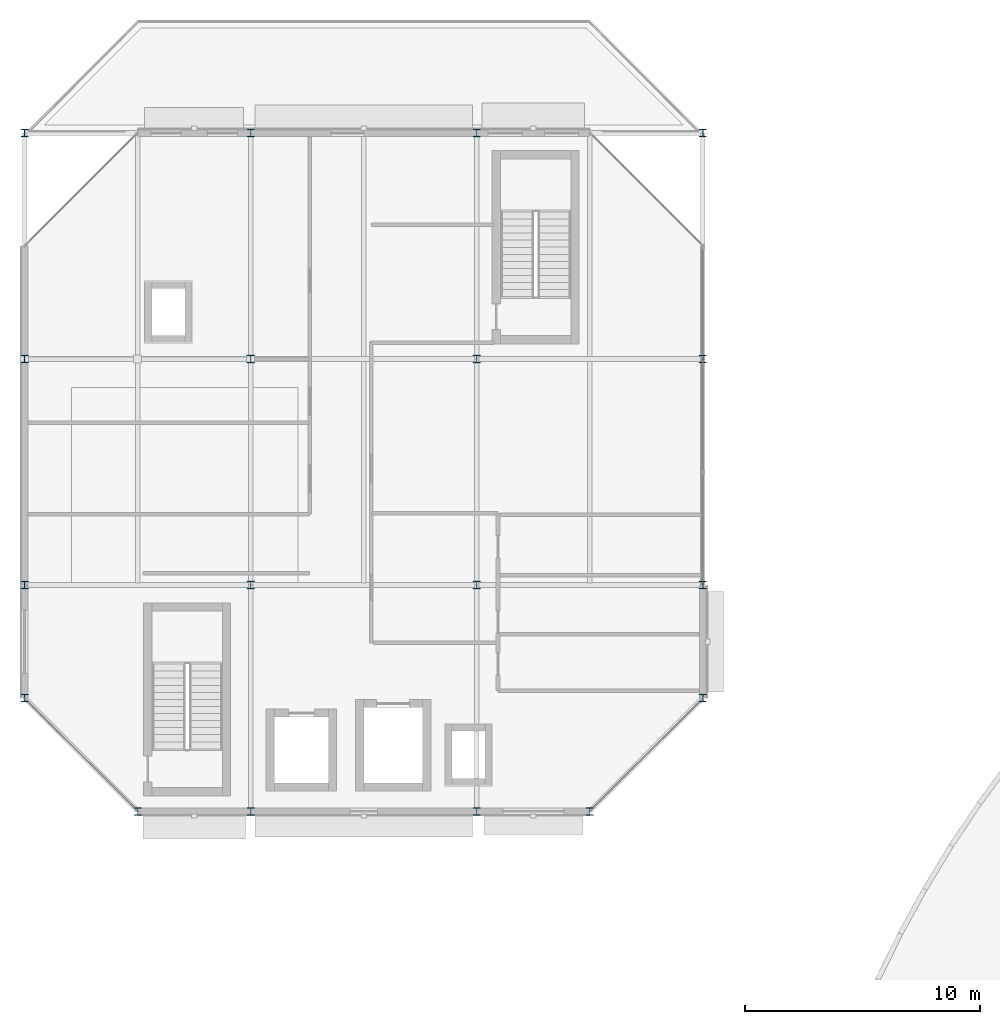
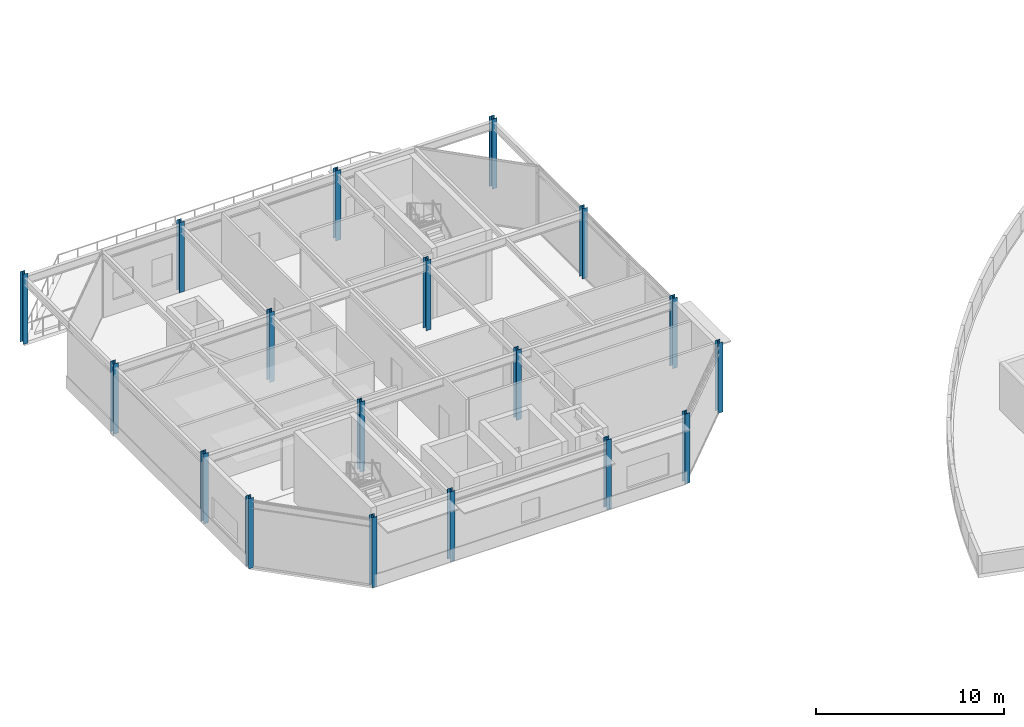
# One storey, part 1 of 50: 18 columns.
"""IFC4 building model written with IfcOpenShell, lengths in metres."""

import ifcopenshell
import ifcopenshell.guid

model = None  # the IFC model being written
_history = None  # IfcOwnerHistory: only IFC2X3 demands one
_inside = {}  # id of a spatial element -> (the spatial element, [elements in it])
_under = {}  # id of a project, library or spatial element -> (it, [spatial elements below it])
_declared = {}  # id of a project -> (the project, [libraries it declares])
_typed = {}  # id of a type object -> (the type object, [elements of that type])
_made_of = {}  # id of a material, layer set ... -> (it, [elements and type objects made of it])


def new_model(schema):
    """Start an empty IFC model of exactly this schema.

    Asked for "IFC4X3", IfcOpenShell would pick the latest addendum, in which some entities
    have other attributes; the version numbers below select the first issue.
    IFC2X3 requires an IfcOwnerHistory on every rooted entity: one is made here for all.
    """
    global model, _history
    if schema == "IFC4X3":
        model = ifcopenshell.file(schema_version=(4, 3, 0, 0))
    else:
        model = ifcopenshell.file(schema=schema)
    _inside.clear()
    _under.clear()
    _declared.clear()
    _typed.clear()
    _made_of.clear()
    _history = None
    if model.schema == "IFC2X3":
        org = make("IfcOrganization", Name="unknown")
        user = make(
            "IfcPersonAndOrganization",
            ThePerson=make("IfcPerson", FamilyName="unknown"),
            TheOrganization=org,
        )
        app = make(
            "IfcApplication",
            ApplicationDeveloper=org,
            Version="unknown",
            ApplicationFullName="unknown",
            ApplicationIdentifier="unknown",
        )
        _history = make(
            "IfcOwnerHistory",
            OwningUser=user,
            OwningApplication=app,
            ChangeAction="ADDED",
            CreationDate=0,
        )
    return model


def make(cls, **values):
    """One entity of the class cls with the attributes given. An attribute that is None is left unset."""
    return model.create_entity(
        cls, **{name: value for name, value in values.items() if value is not None}
    )


def rooted(cls, **values):
    """An entity with a GlobalId (a new one), such as an element, a storey or a relation."""
    return make(cls, GlobalId=ifcopenshell.guid.new(), OwnerHistory=_history, **values)


def si_unit(unit_type, name, prefix=None):
    """IfcSIUnit, for example si_unit("LENGTHUNIT", "METRE", prefix="MILLI")."""
    return make("IfcSIUnit", UnitType=unit_type, Prefix=prefix, Name=name)


def assignment(units):
    """IfcUnitAssignment: the units of a project."""
    return None if units is None else make("IfcUnitAssignment", Units=units)


def point(xyz):
    """IfcCartesianPoint."""
    return None if xyz is None else make("IfcCartesianPoint", Coordinates=xyz)


def direction(xyz):
    """IfcDirection."""
    return None if xyz is None else make("IfcDirection", DirectionRatios=xyz)


def frame(location, z_axis=None, x_axis=None):
    """IfcAxis2Placement3D, a coordinate frame: its origin and axes. An axis left out is left unset."""
    return make(
        "IfcAxis2Placement3D",
        Location=point(location),
        Axis=direction(z_axis),
        RefDirection=direction(x_axis),
    )


def frame_2d(location, x_axis=None):
    """IfcAxis2Placement2D, a coordinate frame in the plane: its origin and x axis."""
    return make(
        "IfcAxis2Placement2D", Location=point(location), RefDirection=direction(x_axis)
    )


def origin():
    """The frame at (0, 0, 0) with its axes left unset."""
    return frame((0.0, 0.0, 0.0))


def origin_2d():
    """The frame at (0, 0) in the plane with its x axis left unset."""
    return frame_2d((0.0, 0.0))


def place(relative_to, where):
    """IfcLocalPlacement: puts the frame where relative to a parent placement (None: the world)."""
    return make(
        "IfcLocalPlacement", PlacementRelTo=relative_to, RelativePlacement=where
    )


def context(
    kind, dimensions, precision=None, world=None, true_north=None, identifier=None
):
    """IfcGeometricRepresentationContext, for example the 3D "Model" context."""
    return make(
        "IfcGeometricRepresentationContext",
        ContextIdentifier=identifier,
        ContextType=kind,
        CoordinateSpaceDimension=dimensions,
        Precision=precision,
        WorldCoordinateSystem=world,
        TrueNorth=true_north,
    )


def subcontext(parent, identifier, kind, view, scale=None):
    """IfcGeometricRepresentationSubContext, for example "Body" below "Model"."""
    return make(
        "IfcGeometricRepresentationSubContext",
        ContextIdentifier=identifier,
        ContextType=kind,
        ParentContext=parent,
        TargetScale=scale,
        TargetView=view,
    )


def project(units=None, contexts=None):
    """IfcProject with its units and contexts."""
    return rooted(
        "IfcProject",
        Name="project",
        RepresentationContexts=contexts,
        UnitsInContext=assignment(units),
    )


def spatial(cls, under=None, at=None, **own):
    """A site, building, storey or space (cls), placed at a placement, below another one or the project."""
    s = rooted(cls, ObjectPlacement=at, **own)
    if under is not None:
        _under.setdefault(under.id(), (under, []))[1].append(s)
    return s


def profile(cls, at=None, kind="AREA", **sizes):
    """A parametric profile (cls). Its sizes go by their IFC names, for example OverallWidth=200.0."""
    return make(cls, ProfileType=kind, Position=at, **sizes)


def i_section(**sizes):
    """IfcIShapeProfileDef."""
    return profile("IfcIShapeProfileDef", **sizes)


def extrude(swept, where, along, depth):
    """IfcExtrudedAreaSolid: the profile swept, set in the frame where, extruded along a direction by depth."""
    return make(
        "IfcExtrudedAreaSolid",
        SweptArea=swept,
        Position=where,
        ExtrudedDirection=direction(along),
        Depth=depth,
    )


def shape(context_of_items, identifier, shape_type, items):
    """IfcShapeRepresentation: the items that make up one representation, for example the "Body"."""
    return make(
        "IfcShapeRepresentation",
        ContextOfItems=context_of_items,
        RepresentationIdentifier=identifier,
        RepresentationType=shape_type,
        Items=items,
    )


def material(Name=None, Category=None):
    """IfcMaterial."""
    return make("IfcMaterial", Name=Name, Category=Category)


def material_profile(
    of_material, cross_section, Name=None, Category=None, Priority=None
):
    """IfcMaterialProfile: a cross section and its material."""
    return make(
        "IfcMaterialProfile",
        Name=Name,
        Material=of_material,
        Profile=cross_section,
        Priority=Priority,
        Category=Category,
    )


def profile_set(profiles, Name=None, composite=None):
    """IfcMaterialProfileSet."""
    return make(
        "IfcMaterialProfileSet",
        Name=Name,
        MaterialProfiles=profiles,
        CompositeProfile=composite,
    )


def made_of(thing, what):
    """Note that an element or type object is made of a material, layer set ...; save() writes the relation."""
    if what is not None:
        _made_of.setdefault(what.id(), (what, []))[1].append(thing)
    return thing


def type_object(cls, material=None, **own):
    """A type object (cls), such as IfcWallType, which elements share."""
    return made_of(rooted(cls, **own), material)


def element(
    cls,
    number,
    at=None,
    inside=None,
    cuts=None,
    type_object=None,
    material=None,
    context=None,
    identifier="Body",
    shape_type=None,
    held_by="IfcProductDefinitionShape",
    body=None,
    shapes=None,
    **own,
):
    """One element of the class cls, such as IfcWall. Its Tag is "e" and its number.

    at: its placement. inside: the storey or other place that contains it. cuts: it is an
    opening in that element (IfcRelVoidsElement). A single representation is given by context,
    identifier, shape_type and body (its items); several are given by shapes. held_by: the class
    of the entity that holds the representations. save() writes the other relations.
    """
    e = rooted(cls, Tag="e%d" % number, ObjectPlacement=at, **own)
    if body is not None:
        shapes = [shape(context, identifier, shape_type, body)]
    if shapes is not None:
        e.Representation = make(held_by, Representations=shapes)
    if inside is not None:
        _inside.setdefault(inside.id(), (inside, []))[1].append(e)
    if cuts is not None:
        rooted(
            "IfcRelVoidsElement", RelatingBuildingElement=cuts, RelatedOpeningElement=e
        )
    if type_object is not None:
        _typed.setdefault(type_object.id(), (type_object, []))[1].append(e)
    return made_of(e, material)


def aggregate(whole, parts):
    """IfcRelAggregates: a whole, such as a stair, and the parts it consists of."""
    return rooted("IfcRelAggregates", RelatingObject=whole, RelatedObjects=parts)


def save(model, path):
    """Write the relations noted so far, then the file.

    IfcRelAggregates (storeys below a building ...), IfcRelContainedInSpatialStructure (elements
    in a storey), IfcRelDefinesByType, IfcRelAssociatesMaterial and IfcRelDeclares: one each for
    every whole, place, type object, material and project.
    """
    for whole, parts in _under.values():
        aggregate(whole, parts)
    for where, things in _inside.values():
        rooted(
            "IfcRelContainedInSpatialStructure",
            RelatedElements=things,
            RelatingStructure=where,
        )
    for kind, things in _typed.values():
        rooted("IfcRelDefinesByType", RelatedObjects=things, RelatingType=kind)
    for what, things in _made_of.values():
        rooted("IfcRelAssociatesMaterial", RelatedObjects=things, RelatingMaterial=what)
    for by, libraries in _declared.values():
        rooted("IfcRelDeclares", RelatingContext=by, RelatedDefinitions=libraries)
    model.write(path)


model = new_model("IFC4")

# Units and contexts
model_context = context("Model", 3, precision=1e-05, world=origin(), true_north=direction((0.0, 1.0)))
body_context = subcontext(model_context, "Body", "Model", "MODEL_VIEW")
ifc_project = project(units=[si_unit("LENGTHUNIT", "METRE"), si_unit("AREAUNIT", "SQUARE_METRE"), si_unit("VOLUMEUNIT", "CUBIC_METRE"), si_unit("PLANEANGLEUNIT", "RADIAN"), si_unit("MASSUNIT", "GRAM", prefix="KILO")], contexts=[model_context])

# Site, building, storey
site_placement = place(None, origin())
site = spatial("IfcSite", under=ifc_project, at=site_placement, CompositionType="ELEMENT")
building_placement = place(site_placement, origin())
building = spatial("IfcBuilding", under=site, at=building_placement, Name="Almandine Court Research Institute", CompositionType="ELEMENT")
storey_placement = place(building_placement, frame((0.0, 0.0, 23.449951171875)))
storey = spatial("IfcBuildingStorey", under=building, at=storey_placement, Name="L05", CompositionType="ELEMENT", Elevation=23.449951171875)

# Columns
ifc_material = material(Name="Steel ASTM A992 Grade 50", Category="steel")
ifc_material_profile_1 = material_profile(ifc_material, i_section(OverallWidth=0.30810546875, OverallDepth=0.318115234375, WebThickness=0.012939453125, FlangeThickness=0.02099609375, at=origin_2d()), Name="W310x129")
ifc_profile_set_1 = profile_set([ifc_material_profile_1], Name="Steel ASTM A992 Grade 50")
column_type_1 = type_object("IfcColumnType", Name="Col-C-W07", PredefinedType="COLUMN", material=ifc_profile_set_1)
for number, where, z_axis, x_axis, name in (
    (1, (15.60009765625, 93.60009765625, 0.0), (0.0, 0.0, 1.0), (1.0, 0.0, 0.0), "L05 V3 Column V3-X2Y2"),
    (2, (15.60009765625, 103.199951171875, 0.0), (0.0, 0.0, 1.0), (1.0, 0.0, 0.0), "L05 V3 Column V3-X2Y3"),
    (3, (15.60009765625, 112.800048828125, 0.0), (0.0, 0.0, 1.0), (1.0, 0.0, 0.0), "L05 V3 Column V3-X2Y4"),
    (4, (25.199951171875, 93.60009765625, 0.0), (0.0, 0.0, 1.0), (1.0, 0.0, 0.0), "L05 V3 Column V3-X3Y2"),
    (5, (25.199951171875, 103.199951171875, 0.0), (0.0, 0.0, 1.0), (1.0, 0.0, 0.0), "L05 V3 Column V3-X3Y3"),
    (6, (25.199951171875, 112.800048828125, 0.0), (0.0, 0.0, 1.0), (1.0, 0.0, 0.0), "L05 V3 Column V3-X3Y4"),
):
    element("IfcColumn", number, at=place(storey_placement, frame(where, z_axis=z_axis, x_axis=x_axis)), inside=storey, type_object=column_type_1, Name=name, PredefinedType="COLUMN", context=body_context, shape_type="SweptSolid", body=[
        extrude(i_section(OverallWidth=0.30810546875, OverallDepth=0.318115234375, WebThickness=0.012939453125, FlangeThickness=0.02099609375, at=origin_2d()), origin(), (0.0, 0.0, 1.0), 4.550048828125),
    ])
ifc_material_profile_2 = material_profile(ifc_material, i_section(OverallWidth=0.30810546875, OverallDepth=0.318115234375, WebThickness=0.012939453125, FlangeThickness=0.02099609375, at=origin_2d()), Name="W310x129")
ifc_profile_set_2 = profile_set([ifc_material_profile_2], Name="Steel ASTM A992 Grade 50")
column_type_2 = type_object("IfcColumnType", Name="Col-C-W07-E", PredefinedType="COLUMN", material=ifc_profile_set_2)
for number, where, z_axis, x_axis, name in (
    (7, (6.0, 93.60009765625, 0.0), (0.0, 0.0, 1.0), (1.0, 0.0, 0.0), "L05 V3 Column V3-X1Y2"),
    (8, (6.0, 103.199951171875, 0.0), (0.0, 0.0, 1.0), (1.0, 0.0, 0.0), "L05 V3 Column V3-X1Y3"),
    (9, (6.0, 112.800048828125, 0.0), (0.0, 0.0, 1.0), (1.0, 0.0, 0.0), "L05 V3 Column V3-X1Y4"),
    (10, (15.60009765625, 84.0, 0.0), (0.0, 0.0, 1.0), (1.0, 0.0, 0.0), "L05 V3 Column V3-X2Y1"),
    (11, (25.199951171875, 84.0, 0.0), (0.0, 0.0, 1.0), (1.0, 0.0, 0.0), "L05 V3 Column V3-X3Y1"),
    (12, (34.800048828125, 93.60009765625, 0.0), (0.0, 0.0, 1.0), (1.0, 0.0, 0.0), "L05 V3 Column V3-X4Y2"),
    (13, (34.800048828125, 103.199951171875, 0.0), (0.0, 0.0, 1.0), (1.0, 0.0, 0.0), "L05 V3 Column V3-X4Y3"),
    (14, (34.800048828125, 112.800048828125, 0.0), (0.0, 0.0, 1.0), (1.0, 0.0, 0.0), "L05 V3 Column V3-X4Y4"),
    (15, (10.800048828125, 84.0, 0.0), (0.0, 0.0, 1.0), (1.0, 0.0, 0.0), "L05 V3 Column V3-CH1"),
    (16, (30.0, 84.0, 0.0), (0.0, 0.0, 1.0), (1.0, 0.0, 0.0), "L05 V3 Column V3-CH2"),
    (17, (34.800048828125, 88.800048828125, 0.0), (0.0, 0.0, 1.0), (1.0, 0.0, 0.0), "L05 V3 Column V3-CH3"),
    (18, (6.0, 88.800048828125, 0.0), (0.0, 0.0, 1.0), (1.0, 0.0, 0.0), "L05 V3 Column V3-CH8"),
):
    element("IfcColumn", number, at=place(storey_placement, frame(where, z_axis=z_axis, x_axis=x_axis)), inside=storey, type_object=column_type_2, Name=name, PredefinedType="COLUMN", context=body_context, shape_type="SweptSolid", body=[
        extrude(i_section(OverallWidth=0.30810546875, OverallDepth=0.318115234375, WebThickness=0.012939453125, FlangeThickness=0.02099609375, at=origin_2d()), origin(), (0.0, 0.0, 1.0), 4.550048828125),
    ])

save(model, "model.ifc")
